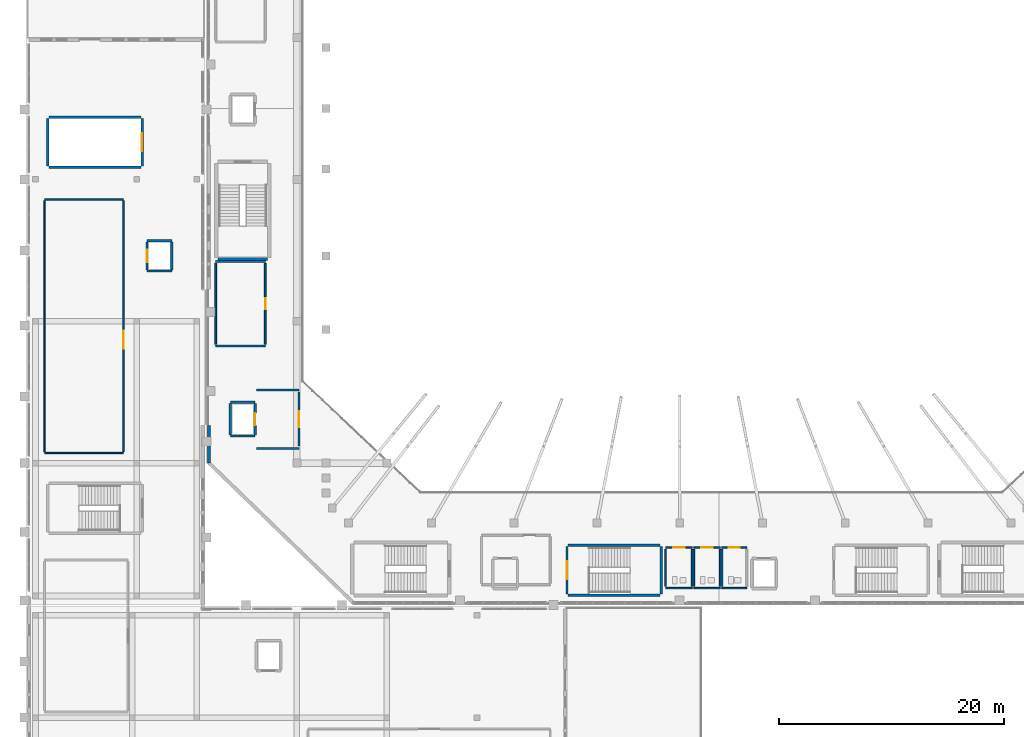
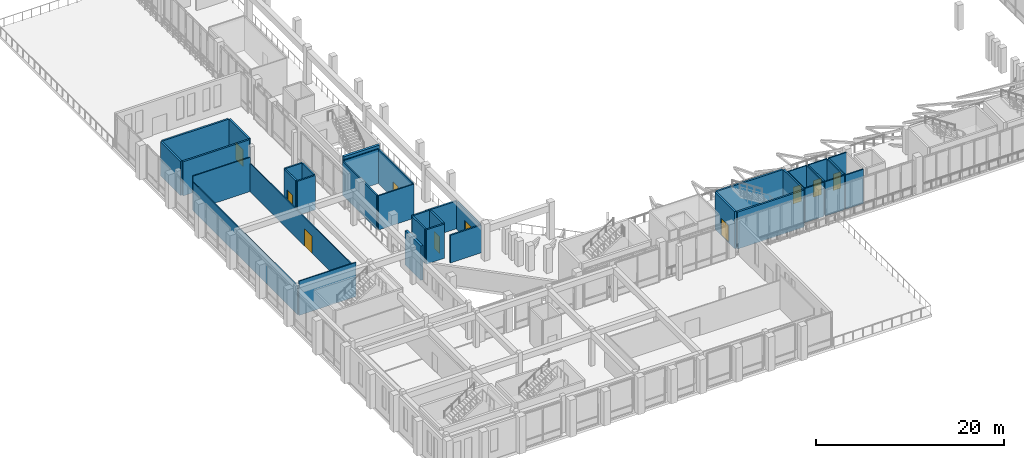
# One storey, part 56 of 79: 40 walls, 10 doors, 10 openings.
"""IFC4 building model written with IfcOpenShell, lengths in metres."""

from ifc_helpers import new_model, si_unit, derived_unit, direction, frame, frame_2d, origin, place, context, subcontext, project, spatial, rectangle, extrude, material, layer, layer_set, type_object, element, fill, save


model = new_model("IFC4")

# Units and contexts
model_context = context("Model", 3, precision=1e-05, world=origin(), true_north=direction((0.0, 1.0)))
body_context = subcontext(model_context, "Body", "Model", "MODEL_VIEW")
ifc_project = project(units=[si_unit("LENGTHUNIT", "METRE"), si_unit("AREAUNIT", "SQUARE_METRE"), si_unit("VOLUMEUNIT", "CUBIC_METRE"), si_unit("PLANEANGLEUNIT", "RADIAN"), si_unit("MASSUNIT", "GRAM", prefix="KILO"), derived_unit("THERMALTRANSMITTANCEUNIT", [(si_unit("MASSUNIT", "GRAM", prefix="KILO"), 1), (si_unit("TIMEUNIT", "SECOND"), -3), (si_unit("THERMODYNAMICTEMPERATUREUNIT", "KELVIN"), -1)])], contexts=[model_context])

# Site, building, storey
site_placement = place(None, origin())
site = spatial("IfcSite", under=ifc_project, at=site_placement, CompositionType="ELEMENT")
building_placement = place(site_placement, origin())
building = spatial("IfcBuilding", under=site, at=building_placement, Name="Valcora Ridge Arena", CompositionType="ELEMENT")
storey_placement = place(building_placement, frame((0.0, 0.0, 16.199951171875)))
storey = spatial("IfcBuildingStorey", under=building, at=storey_placement, Name="L03", CompositionType="ELEMENT", Elevation=16.199951171875)

# Walls
ifc_material_1 = material(Name="Bush-hammered Andean travertine on concrete backup C40/50", Category="masonry")
ifc_layer_1 = layer(ifc_material_1, 0.280029296875, Name="Bush-hammered Andean travertine on concrete backup C40/50")
ifc_layer_set_1 = layer_set([ifc_layer_1], Name="Bush-hammered Andean travertine on concrete backup C40/50")
wall_type_1 = type_object("IfcWallType", Name="TY-WALL-EW-TRV-28-44", PredefinedType="STANDARD", material=ifc_layer_set_1)
wall_1_placement = place(storey_placement, frame((16.199951171875, 32.60009765625, 0.0), z_axis=(0.0, 0.0, 1.0), x_axis=(0.0, 1.0, 0.0)))
element("IfcWall", 1, at=wall_1_placement, inside=storey, type_object=wall_type_1, Name="EW-TRV-28-44 WAL-EW-0053", PredefinedType="STANDARD", context=body_context, shape_type="SweptSolid", body=[
    extrude(rectangle(XDim=3.349853515625, YDim=0.280029296875, at=frame_2d((1.6748046875, 0.0))), origin(), (0.0, 0.0, 1.0), 4.43994140625),
])
ifc_material_2 = material(Name="Fire-rated masonry-core compartment wall C35/45 150 mm", Category="masonry")
ifc_layer_2 = layer(ifc_material_2, 0.14990234375, Name="Fire-rated masonry-core compartment wall C35/45 150 mm")
ifc_layer_set_2 = layer_set([ifc_layer_2], Name="Fire-rated masonry-core compartment wall C35/45 150 mm")
wall_type_2 = type_object("IfcWallType", Name="TY-WALL-IW-COMP-150", PredefinedType="STANDARD", material=ifc_layer_set_2)
wall_2_placement = place(storey_placement, frame((56.75, 21.5, 0.0), z_axis=(0.0, 0.0, 1.0), x_axis=(1.0, 0.0, 0.0)))
element("IfcWall", 2, at=wall_2_placement, inside=storey, type_object=wall_type_2, Name="IW-COMP-150 WAL-IN-0131", PredefinedType="STANDARD", context=body_context, shape_type="SweptSolid", body=[
    extrude(rectangle(XDim=2.35009765625, YDim=0.14990234375, at=frame_2d((1.175048828125, 0.0))), origin(), (0.0, 0.0, 1.0), 4.43994140625),
])

# Wall, opening, door
wall_3_placement = place(storey_placement, frame((56.75, 25.10009765625, 0.0), z_axis=(0.0, 0.0, 1.0), x_axis=(1.0, 0.0, 0.0)))
wall_3 = element("IfcWall", 3, at=wall_3_placement, inside=storey, type_object=wall_type_2, Name="IW-COMP-150 WAL-IN-0132", PredefinedType="STANDARD", context=body_context, shape_type="SweptSolid", body=[
    extrude(rectangle(XDim=2.35009765625, YDim=0.14990234375, at=frame_2d((1.175048828125, 0.0))), origin(), (0.0, 0.0, 1.0), 4.43994140625),
])
opening_1_placement = place(wall_3_placement, frame((0.675048828125, 0.0, 0.0)))
opening_1 = element("IfcOpeningElement", 4, at=opening_1_placement, cuts=wall_3, Name="Opening D-WC-1000", PredefinedType="OPENING", context=body_context, shape_type="SweptSolid", body=[
    extrude(rectangle(XDim=1.0, YDim=2.14990234375, at=frame_2d((0.5, 1.074951171875))), frame((0.0, 0.0849609375, 0.0), z_axis=(0.0, -1.0, 0.0), x_axis=(1.0, 0.0, 0.0)), (0.0, 0.0, 1.0), 0.169921875),
])
ifc_material_3 = material(Name="Insulated fire-rated steel door leaf", Category="steel")
door_type_1 = type_object("IfcDoorType", Name="TY-DOOR-D-WC-1000", OperationType="NOTDEFINED", PredefinedType="DOOR", material=ifc_material_3)
door_1_placement = place(opening_1_placement, origin())
door_1 = element("IfcDoor", 5, at=door_1_placement, inside=storey, type_object=door_type_1, Name="D-WC-1000 DOR-IN-0037", OperationType="SINGLE_SWING_LEFT", OverallHeight=2.14990234375, OverallWidth=1.0, PredefinedType="DOOR", context=body_context, shape_type="SweptSolid", body=[
    extrude(rectangle(XDim=1.0, YDim=2.14990234375, at=frame_2d((0.5, 1.074951171875))), frame((0.0, 0.02490234375, 0.0), z_axis=(0.0, -1.0, 0.0), x_axis=(1.0, 0.0, 0.0)), (0.0, 0.0, 1.0), 0.050048828125),
])
fill(opening_1, door_1)

# Walls
for number, where, z_axis, x_axis, name in (
    (6, (56.75, 21.64990234375, 0.0), (0.0, 0.0, 1.0), (0.0, 1.0, 0.0), "IW-COMP-150 WAL-IN-0133"),
    (7, (59.10009765625, 21.64990234375, 0.0), (0.0, 0.0, 1.0), (0.0, 1.0, 0.0), "IW-COMP-150 WAL-IN-0134"),
):
    element("IfcWall", number, at=place(storey_placement, frame(where, z_axis=z_axis, x_axis=x_axis)), inside=storey, type_object=wall_type_2, Name=name, PredefinedType="STANDARD", context=body_context, shape_type="SweptSolid", body=[
        extrude(rectangle(XDim=3.300048828125, YDim=0.14990234375, at=frame_2d((1.64990234375, 0.0))), origin(), (0.0, 0.0, 1.0), 4.43994140625),
    ])
wall_4_placement = place(storey_placement, frame((59.25, 21.5, 0.0), z_axis=(0.0, 0.0, 1.0), x_axis=(1.0, 0.0, 0.0)))
element("IfcWall", 8, at=wall_4_placement, inside=storey, type_object=wall_type_2, Name="IW-COMP-150 WAL-IN-0135", PredefinedType="STANDARD", context=body_context, shape_type="SweptSolid", body=[
    extrude(rectangle(XDim=2.35009765625, YDim=0.14990234375, at=frame_2d((1.175048828125, 0.0))), origin(), (0.0, 0.0, 1.0), 4.43994140625),
])

# Wall, opening, door
wall_5_placement = place(storey_placement, frame((59.25, 25.10009765625, 0.0), z_axis=(0.0, 0.0, 1.0), x_axis=(1.0, 0.0, 0.0)))
wall_5 = element("IfcWall", 9, at=wall_5_placement, inside=storey, type_object=wall_type_2, Name="IW-COMP-150 WAL-IN-0136", PredefinedType="STANDARD", context=body_context, shape_type="SweptSolid", body=[
    extrude(rectangle(XDim=2.35009765625, YDim=0.14990234375, at=frame_2d((1.175048828125, 0.0))), origin(), (0.0, 0.0, 1.0), 4.43994140625),
])
opening_2_placement = place(wall_5_placement, frame((0.675048828125, 0.0, 0.0)))
opening_2 = element("IfcOpeningElement", 10, at=opening_2_placement, cuts=wall_5, Name="Opening D-WC-1000", PredefinedType="OPENING", context=body_context, shape_type="SweptSolid", body=[
    extrude(rectangle(XDim=1.0, YDim=2.14990234375, at=frame_2d((0.5, 1.074951171875))), frame((0.0, 0.0849609375, 0.0), z_axis=(0.0, -1.0, 0.0), x_axis=(1.0, 0.0, 0.0)), (0.0, 0.0, 1.0), 0.169921875),
])
door_2_placement = place(opening_2_placement, origin())
door_2 = element("IfcDoor", 11, at=door_2_placement, inside=storey, type_object=door_type_1, Name="D-WC-1000 DOR-IN-0038", OperationType="SINGLE_SWING_RIGHT", OverallHeight=2.14990234375, OverallWidth=1.0, PredefinedType="DOOR", context=body_context, shape_type="SweptSolid", body=[
    extrude(rectangle(XDim=1.0, YDim=2.14990234375, at=frame_2d((0.5, 1.074951171875))), frame((0.0, 0.02490234375, 0.0), z_axis=(0.0, -1.0, 0.0), x_axis=(1.0, 0.0, 0.0)), (0.0, 0.0, 1.0), 0.050048828125),
])
fill(opening_2, door_2)

# Walls
for number, where, z_axis, x_axis, name in (
    (12, (59.25, 21.64990234375, 0.0), (0.0, 0.0, 1.0), (0.0, 1.0, 0.0), "IW-COMP-150 WAL-IN-0137"),
    (13, (61.60009765625, 21.64990234375, 0.0), (0.0, 0.0, 1.0), (0.0, 1.0, 0.0), "IW-COMP-150 WAL-IN-0138"),
):
    element("IfcWall", number, at=place(storey_placement, frame(where, z_axis=z_axis, x_axis=x_axis)), inside=storey, type_object=wall_type_2, Name=name, PredefinedType="STANDARD", context=body_context, shape_type="SweptSolid", body=[
        extrude(rectangle(XDim=3.300048828125, YDim=0.14990234375, at=frame_2d((1.64990234375, 0.0))), origin(), (0.0, 0.0, 1.0), 4.43994140625),
    ])
wall_6_placement = place(storey_placement, frame((61.75, 21.5, 0.0), z_axis=(0.0, 0.0, 1.0), x_axis=(1.0, 0.0, 0.0)))
element("IfcWall", 14, at=wall_6_placement, inside=storey, type_object=wall_type_2, Name="IW-COMP-150 WAL-IN-0139", PredefinedType="STANDARD", context=body_context, shape_type="SweptSolid", body=[
    extrude(rectangle(XDim=2.199951171875, YDim=0.14990234375, at=frame_2d((1.10009765625, 0.0))), origin(), (0.0, 0.0, 1.0), 4.43994140625),
])

# Wall, opening, door
wall_7_placement = place(storey_placement, frame((61.75, 25.10009765625, 0.0), z_axis=(0.0, 0.0, 1.0), x_axis=(1.0, 0.0, 0.0)))
wall_7 = element("IfcWall", 15, at=wall_7_placement, inside=storey, type_object=wall_type_2, Name="IW-COMP-150 WAL-IN-0140", PredefinedType="STANDARD", context=body_context, shape_type="SweptSolid", body=[
    extrude(rectangle(XDim=2.199951171875, YDim=0.14990234375, at=frame_2d((1.10009765625, 0.0))), origin(), (0.0, 0.0, 1.0), 4.43994140625),
])
opening_3_placement = place(wall_7_placement, frame((0.625, 0.0, 0.0)))
opening_3 = element("IfcOpeningElement", 16, at=opening_3_placement, cuts=wall_7, Name="Opening D-WC-950", PredefinedType="OPENING", context=body_context, shape_type="SweptSolid", body=[
    extrude(rectangle(XDim=0.949951171875, YDim=2.14990234375, at=frame_2d((0.47509765625, 1.074951171875))), frame((0.0, 0.0849609375, 0.0), z_axis=(0.0, -1.0, 0.0), x_axis=(1.0, 0.0, 0.0)), (0.0, 0.0, 1.0), 0.169921875),
])
door_type_2 = type_object("IfcDoorType", Name="TY-DOOR-D-WC-950", OperationType="NOTDEFINED", PredefinedType="DOOR", material=ifc_material_3)
door_3_placement = place(opening_3_placement, origin())
door_3 = element("IfcDoor", 17, at=door_3_placement, inside=storey, type_object=door_type_2, Name="D-WC-950 DOR-IN-0039", OperationType="SINGLE_SWING_LEFT", OverallHeight=2.14990234375, OverallWidth=0.949951171875, PredefinedType="DOOR", context=body_context, shape_type="SweptSolid", body=[
    extrude(rectangle(XDim=0.949951171875, YDim=2.14990234375, at=frame_2d((0.47509765625, 1.074951171875))), frame((0.0, 0.02490234375, 0.0), z_axis=(0.0, -1.0, 0.0), x_axis=(1.0, 0.0, 0.0)), (0.0, 0.0, 1.0), 0.050048828125),
])
fill(opening_3, door_3)

# Walls
wall_8_placement = place(storey_placement, frame((61.75, 21.64990234375, 0.0), z_axis=(0.0, 0.0, 1.0), x_axis=(0.0, 1.0, 0.0)))
element("IfcWall", 18, at=wall_8_placement, inside=storey, type_object=wall_type_2, Name="IW-COMP-150 WAL-IN-0141", PredefinedType="STANDARD", context=body_context, shape_type="SweptSolid", body=[
    extrude(rectangle(XDim=3.300048828125, YDim=0.14990234375, at=frame_2d((1.64990234375, 0.0))), origin(), (0.0, 0.0, 1.0), 4.43994140625),
])
for number, where, z_axis, x_axis, name in (
    (19, (16.800048828125, 43.0, 0.0), (0.0, 0.0, 1.0), (1.0, 0.0, 0.0), "IW-COMP-150 WAL-IN-0419"),
    (20, (16.800048828125, 50.5, 0.0), (0.0, 0.0, 1.0), (1.0, 0.0, 0.0), "IW-COMP-150 WAL-IN-0420"),
):
    element("IfcWall", number, at=place(storey_placement, frame(where, z_axis=z_axis, x_axis=x_axis)), inside=storey, type_object=wall_type_2, Name=name, PredefinedType="STANDARD", context=body_context, shape_type="SweptSolid", body=[
        extrude(rectangle(XDim=4.39990234375, YDim=0.14990234375, at=frame_2d((2.199951171875, 0.0))), origin(), (0.0, 0.0, 1.0), 4.43994140625),
    ])
wall_9_placement = place(storey_placement, frame((16.800048828125, 43.14990234375, 0.0), z_axis=(0.0, 0.0, 1.0), x_axis=(0.0, 1.0, 0.0)))
element("IfcWall", 21, at=wall_9_placement, inside=storey, type_object=wall_type_2, Name="IW-COMP-150 WAL-IN-0421", PredefinedType="STANDARD", context=body_context, shape_type="SweptSolid", body=[
    extrude(rectangle(XDim=7.2001953125, YDim=0.14990234375, at=frame_2d((3.60009765625, 0.0))), origin(), (0.0, 0.0, 1.0), 4.43994140625),
])

# Wall, opening, door
wall_10_placement = place(storey_placement, frame((21.199951171875, 43.14990234375, 0.0), z_axis=(0.0, 0.0, 1.0), x_axis=(0.0, 1.0, 0.0)))
wall_10 = element("IfcWall", 22, at=wall_10_placement, inside=storey, type_object=wall_type_2, Name="IW-COMP-150 WAL-IN-0422", PredefinedType="STANDARD", context=body_context, shape_type="SweptSolid", body=[
    extrude(rectangle(XDim=7.2001953125, YDim=0.14990234375, at=frame_2d((3.60009765625, 0.0))), origin(), (0.0, 0.0, 1.0), 4.43994140625),
])
opening_4_placement = place(wall_10_placement, frame((3.10009765625, 0.0, 0.0)))
opening_4 = element("IfcOpeningElement", 23, at=opening_4_placement, cuts=wall_10, Name="Opening FD-STE-1000", PredefinedType="OPENING", context=body_context, shape_type="SweptSolid", body=[
    extrude(rectangle(XDim=1.0, YDim=2.14990234375, at=frame_2d((0.5, 1.074951171875))), frame((0.0, 0.0849609375, 0.0), z_axis=(0.0, -1.0, 0.0), x_axis=(1.0, 0.0, 0.0)), (0.0, 0.0, 1.0), 0.169921875),
])
door_type_3 = type_object("IfcDoorType", Name="TY-DOOR-FD-STE-1000", OperationType="NOTDEFINED", PredefinedType="DOOR", material=ifc_material_3)
door_4_placement = place(opening_4_placement, origin())
door_4 = element("IfcDoor", 24, at=door_4_placement, inside=storey, type_object=door_type_3, Name="FD-STE-1000 DOR-IN-0110", OperationType="SINGLE_SWING_RIGHT", OverallHeight=2.14990234375, OverallWidth=1.0, PredefinedType="DOOR", context=body_context, shape_type="SweptSolid", body=[
    extrude(rectangle(XDim=1.0, YDim=2.14990234375, at=frame_2d((0.5, 1.074951171875))), frame((0.0, 0.02490234375, 0.0), z_axis=(0.0, -1.0, 0.0), x_axis=(1.0, 0.0, 0.0)), (0.0, 0.0, 1.0), 0.050048828125),
])
fill(opening_4, door_4)

# Walls
ifc_material_4 = material(Name="Fire-resisting reinforced concrete enclosure C40/50 200 mm", Category="concrete")
ifc_layer_3 = layer(ifc_material_4, 0.199951171875, Name="Fire-resisting reinforced concrete enclosure C40/50 200 mm")
ifc_layer_set_3 = layer_set([ifc_layer_3], Name="Fire-resisting reinforced concrete enclosure C40/50 200 mm")
wall_type_3 = type_object("IfcWallType", Name="TY-WALL-IW-FIRE-200", PredefinedType="STANDARD", material=ifc_layer_set_3)
for number, where, z_axis, x_axis, name in (
    (25, (20.39990234375, 33.89990234375, 0.0), (0.0, 0.0, 1.0), (1.0, 0.0, 0.0), "IW-FIRE-200 WAL-IN-0013"),
    (26, (20.39990234375, 39.10009765625, 0.0), (0.0, 0.0, 1.0), (1.0, 0.0, 0.0), "IW-FIRE-200 WAL-IN-0014"),
):
    element("IfcWall", number, at=place(storey_placement, frame(where, z_axis=z_axis, x_axis=x_axis)), inside=storey, type_object=wall_type_3, Name=name, PredefinedType="STANDARD", context=body_context, shape_type="SweptSolid", body=[
        extrude(rectangle(XDim=3.800048828125, YDim=0.199951171875, at=frame_2d((1.89990234375, 0.0))), origin(), (0.0, 0.0, 1.0), 3.590087890625),
    ])

# Wall, opening, door
wall_11_placement = place(storey_placement, frame((24.199951171875, 34.10009765625, 0.0), z_axis=(0.0, 0.0, 1.0), x_axis=(0.0, 1.0, 0.0)))
wall_11 = element("IfcWall", 27, at=wall_11_placement, inside=storey, type_object=wall_type_3, Name="IW-FIRE-200 WAL-IN-0015", PredefinedType="STANDARD", context=body_context, shape_type="SweptSolid", body=[
    extrude(rectangle(XDim=4.7998046875, YDim=0.199951171875, at=frame_2d((2.39990234375, 0.0))), origin(), (0.0, 0.0, 1.0), 3.590087890625),
])
opening_5_placement = place(wall_11_placement, frame((1.699951171875, 0.0, 0.0)))
opening_5 = element("IfcOpeningElement", 28, at=opening_5_placement, cuts=wall_11, Name="Opening FD-FFL-1400", PredefinedType="OPENING", context=body_context, shape_type="SweptSolid", body=[
    extrude(rectangle(XDim=1.39990234375, YDim=2.199951171875, at=frame_2d((0.699951171875, 1.10009765625))), frame((0.0, 0.10986328125, 0.0), z_axis=(0.0, -1.0, 0.0), x_axis=(1.0, 0.0, 0.0)), (0.0, 0.0, 1.0), 0.219970703125),
])
door_type_4 = type_object("IfcDoorType", Name="TY-DOOR-FD-FFL-1400", OperationType="NOTDEFINED", PredefinedType="DOOR", material=ifc_material_3)
door_5_placement = place(opening_5_placement, origin())
door_5 = element("IfcDoor", 29, at=door_5_placement, inside=storey, type_object=door_type_4, Name="FD-FFL-1400 DOR-IN-0005", OperationType="DOUBLE_DOOR_SINGLE_SWING", OverallHeight=2.199951171875, OverallWidth=1.39990234375, PredefinedType="DOOR", context=body_context, shape_type="SweptSolid", body=[
    extrude(rectangle(XDim=1.39990234375, YDim=2.199951171875, at=frame_2d((0.699951171875, 1.10009765625))), frame((0.0, 0.02490234375, 0.0), z_axis=(0.0, -1.0, 0.0), x_axis=(1.0, 0.0, 0.0)), (0.0, 0.0, 1.0), 0.050048828125),
])
fill(opening_5, door_5)

# Walls
ifc_material_5 = material(Name="Acoustic metal-stud gypsum partition 120 mm")
ifc_layer_4 = layer(ifc_material_5, 0.1201171875, Name="Acoustic metal-stud gypsum partition 120 mm")
ifc_layer_set_4 = layer_set([ifc_layer_4], Name="Acoustic metal-stud gypsum partition 120 mm")
wall_type_4 = type_object("IfcWallType", Name="TY-WALL-IW-PART-120", PredefinedType="PARTITIONING", material=ifc_layer_set_4)
for number, where, z_axis, x_axis, name in (
    (30, (1.60009765625, 33.5, 0.0), (0.0, 0.0, 1.0), (1.0, 0.0, 0.0), "IW-PART-120 WAL-IN-0435"),
    (31, (1.60009765625, 56.0, 0.0), (0.0, 0.0, 1.0), (1.0, 0.0, 0.0), "IW-PART-120 WAL-IN-0436"),
):
    element("IfcWall", number, at=place(storey_placement, frame(where, z_axis=z_axis, x_axis=x_axis)), inside=storey, type_object=wall_type_4, Name=name, PredefinedType="PARTITIONING", context=body_context, shape_type="SweptSolid", body=[
        extrude(rectangle(XDim=7.0, YDim=0.1201171875, at=frame_2d((3.5, 0.0))), origin(), (0.0, 0.0, 1.0), 4.43994140625),
    ])
wall_12_placement = place(storey_placement, frame((1.60009765625, 33.6201171875, 0.0), z_axis=(0.0, 0.0, 1.0), x_axis=(0.0, 1.0, 0.0)))
element("IfcWall", 32, at=wall_12_placement, inside=storey, type_object=wall_type_4, Name="IW-PART-120 WAL-IN-0437", PredefinedType="PARTITIONING", context=body_context, shape_type="SweptSolid", body=[
    extrude(rectangle(XDim=22.259765625, YDim=0.1201171875, at=frame_2d((11.1298828125, 0.0))), origin(), (0.0, 0.0, 1.0), 3.68994140625),
])

# Wall, opening, door
wall_13_placement = place(storey_placement, frame((8.60009765625, 33.6201171875, 0.0), z_axis=(0.0, 0.0, 1.0), x_axis=(0.0, 1.0, 0.0)))
wall_13 = element("IfcWall", 33, at=wall_13_placement, inside=storey, type_object=wall_type_4, Name="IW-PART-120 WAL-IN-0438", PredefinedType="PARTITIONING", context=body_context, shape_type="SweptSolid", body=[
    extrude(rectangle(XDim=22.259765625, YDim=0.1201171875, at=frame_2d((11.1298828125, 0.0))), origin(), (0.0, 0.0, 1.0), 3.68994140625),
])
opening_6_placement = place(wall_13_placement, frame((9.1298828125, 0.0, 0.0)))
opening_6 = element("IfcOpeningElement", 34, at=opening_6_placement, cuts=wall_13, Name="Opening D-PUB-1600", PredefinedType="OPENING", context=body_context, shape_type="SweptSolid", body=[
    extrude(rectangle(XDim=1.60009765625, YDim=2.25, at=frame_2d((0.800048828125, 1.125))), frame((0.0, 0.070068359375, 0.0), z_axis=(0.0, -1.0, 0.0), x_axis=(1.0, 0.0, 0.0)), (0.0, 0.0, 1.0), 0.14013671875),
])
ifc_material_6 = material(Name="Solid-core acoustic timber veneer door leaf", Category="wood")
door_type_5 = type_object("IfcDoorType", Name="TY-DOOR-D-PUB-1600", OperationType="NOTDEFINED", PredefinedType="DOOR", material=ifc_material_6)
door_6_placement = place(opening_6_placement, origin())
door_6 = element("IfcDoor", 35, at=door_6_placement, inside=storey, type_object=door_type_5, Name="D-PUB-1600 DOR-IN-0114", OperationType="DOUBLE_DOOR_SINGLE_SWING", OverallHeight=2.25, OverallWidth=1.60009765625, PredefinedType="DOOR", context=body_context, shape_type="SweptSolid", body=[
    extrude(rectangle(XDim=1.60009765625, YDim=2.25, at=frame_2d((0.800048828125, 1.125))), frame((0.0, 0.02490234375, 0.0), z_axis=(0.0, -1.0, 0.0), x_axis=(1.0, 0.0, 0.0)), (0.0, 0.0, 1.0), 0.050048828125),
])
fill(opening_6, door_6)

# Walls
ifc_material_7 = material(Name="Concrete C40/50", Category="concrete")
ifc_layer_5 = layer(ifc_material_7, 0.199951171875, Name="Concrete C40/50")
ifc_layer_set_5 = layer_set([ifc_layer_5], Name="Concrete C40/50")
wall_type_5 = type_object("IfcWallType", Name="TY-WALL-IW-SHF-200", PredefinedType="STANDARD", material=ifc_layer_set_5)
for number, where, z_axis, x_axis, name in (
    (36, (18.10009765625, 35.0, 0.0), (0.0, 0.0, 1.0), (1.0, 0.0, 0.0), "IW-SHF-200 WAL-SH-0017"),
    (37, (18.10009765625, 38.0, 0.0), (0.0, 0.0, 1.0), (1.0, 0.0, 0.0), "IW-SHF-200 WAL-SH-0018"),
):
    element("IfcWall", number, at=place(storey_placement, frame(where, z_axis=z_axis, x_axis=x_axis)), inside=storey, type_object=wall_type_5, Name=name, PredefinedType="STANDARD", context=body_context, shape_type="SweptSolid", body=[
        extrude(rectangle(XDim=2.199951171875, YDim=0.199951171875, at=frame_2d((1.10009765625, 0.0))), origin(), (0.0, 0.0, 1.0), 4.43994140625),
    ])
wall_14_placement = place(storey_placement, frame((18.10009765625, 35.1201171875, 0.0), z_axis=(0.0, 0.0, 1.0), x_axis=(0.0, 1.0, 0.0)))
element("IfcWall", 38, at=wall_14_placement, inside=storey, type_object=wall_type_5, Name="IW-SHF-200 WAL-SH-0019", PredefinedType="STANDARD", context=body_context, shape_type="SweptSolid", body=[
    extrude(rectangle(XDim=2.759765625, YDim=0.199951171875, at=frame_2d((1.3798828125, 0.0))), origin(), (0.0, 0.0, 1.0), 4.43994140625),
])

# Wall, opening, door
wall_15_placement = place(storey_placement, frame((20.300048828125, 35.1201171875, 0.0), z_axis=(0.0, 0.0, 1.0), x_axis=(0.0, 1.0, 0.0)))
wall_15 = element("IfcWall", 39, at=wall_15_placement, inside=storey, type_object=wall_type_5, Name="IW-SHF-200 WAL-SH-0020", PredefinedType="STANDARD", context=body_context, shape_type="SweptSolid", body=[
    extrude(rectangle(XDim=2.759765625, YDim=0.199951171875, at=frame_2d((1.3798828125, 0.0))), origin(), (0.0, 0.0, 1.0), 4.43994140625),
])
opening_7_placement = place(wall_15_placement, frame((0.830078125, 0.0, 0.0)))
opening_7 = element("IfcOpeningElement", 40, at=opening_7_placement, cuts=wall_15, Name="Opening LD-FF", PredefinedType="OPENING", context=body_context, shape_type="SweptSolid", body=[
    extrude(rectangle(XDim=1.10009765625, YDim=2.14990234375, at=frame_2d((0.550048828125, 1.074951171875))), frame((0.0, 0.10986328125, 0.0), z_axis=(0.0, -1.0, 0.0), x_axis=(1.0, 0.0, 0.0)), (0.0, 0.0, 1.0), 0.219970703125),
])
ifc_material_8 = material(Name="Insulated fire-rated hollow metal steel", Category="steel")
door_type_6 = type_object("IfcDoorType", Name="TY-DOOR-LD-FF", OperationType="NOTDEFINED", PredefinedType="DOOR", material=ifc_material_8)
door_7_placement = place(opening_7_placement, origin())
door_7 = element("IfcDoor", 41, at=door_7_placement, inside=storey, type_object=door_type_6, Name="FFL1 Landing Door L03", OperationType="SLIDING_TO_LEFT", OverallHeight=2.14990234375, OverallWidth=1.10009765625, PredefinedType="DOOR", context=body_context, shape_type="SweptSolid", body=[
    extrude(rectangle(XDim=1.10009765625, YDim=2.14990234375, at=frame_2d((0.550048828125, 1.074951171875))), frame((0.0, 0.02490234375, 0.0), z_axis=(0.0, -1.0, 0.0), x_axis=(1.0, 0.0, 0.0)), (0.0, 0.0, 1.0), 0.050048828125),
])
fill(opening_7, door_7)

# Walls
for number, where, z_axis, x_axis, name in (
    (42, (10.699951171875, 49.64990234375, 0.0), (0.0, 0.0, 1.0), (1.0, 0.0, 0.0), "IW-SHF-200 WAL-SH-0205"),
    (43, (10.699951171875, 52.35009765625, 0.0), (0.0, 0.0, 1.0), (1.0, 0.0, 0.0), "IW-SHF-200 WAL-SH-0206"),
):
    element("IfcWall", number, at=place(storey_placement, frame(where, z_axis=z_axis, x_axis=x_axis)), inside=storey, type_object=wall_type_5, Name=name, PredefinedType="STANDARD", context=body_context, shape_type="SweptSolid", body=[
        extrude(rectangle(XDim=2.199951171875, YDim=0.199951171875, at=frame_2d((1.10009765625, 0.0))), origin(), (0.0, 0.0, 1.0), 4.43994140625),
    ])

# Wall, opening, door
wall_16_placement = place(storey_placement, frame((10.699951171875, 49.77001953125, 0.0), z_axis=(0.0, 0.0, 1.0), x_axis=(0.0, 1.0, 0.0)))
wall_16 = element("IfcWall", 44, at=wall_16_placement, inside=storey, type_object=wall_type_5, Name="IW-SHF-200 WAL-SH-0207", PredefinedType="STANDARD", context=body_context, shape_type="SweptSolid", body=[
    extrude(rectangle(XDim=2.4599609375, YDim=0.199951171875, at=frame_2d((1.22998046875, 0.0))), origin(), (0.0, 0.0, 1.0), 4.43994140625),
])
opening_8_placement = place(wall_16_placement, frame((0.679931640625, 0.0, 0.0)))
opening_8 = element("IfcOpeningElement", 45, at=opening_8_placement, cuts=wall_16, Name="Opening LD-PAX", PredefinedType="OPENING", context=body_context, shape_type="SweptSolid", body=[
    extrude(rectangle(XDim=1.10009765625, YDim=2.14990234375, at=frame_2d((0.550048828125, 1.074951171875))), frame((0.0, 0.10986328125, 0.0), z_axis=(0.0, -1.0, 0.0), x_axis=(1.0, 0.0, 0.0)), (0.0, 0.0, 1.0), 0.219970703125),
])
door_type_7 = type_object("IfcDoorType", Name="TY-DOOR-LD-PAX", OperationType="NOTDEFINED", PredefinedType="DOOR", material=ifc_material_8)
door_8_placement = place(opening_8_placement, origin())
door_8 = element("IfcDoor", 46, at=door_8_placement, inside=storey, type_object=door_type_7, Name="CL2 Landing Door L03", OperationType="SLIDING_TO_LEFT", OverallHeight=2.14990234375, OverallWidth=1.10009765625, PredefinedType="DOOR", context=body_context, shape_type="SweptSolid", body=[
    extrude(rectangle(XDim=1.10009765625, YDim=2.14990234375, at=frame_2d((0.550048828125, 1.074951171875))), frame((0.0, 0.02490234375, 0.0), z_axis=(0.0, -1.0, 0.0), x_axis=(1.0, 0.0, 0.0)), (0.0, 0.0, 1.0), 0.050048828125),
])
fill(opening_8, door_8)

# Walls
wall_17_placement = place(storey_placement, frame((12.89990234375, 49.77001953125, 0.0), z_axis=(0.0, 0.0, 1.0), x_axis=(0.0, 1.0, 0.0)))
element("IfcWall", 47, at=wall_17_placement, inside=storey, type_object=wall_type_5, Name="IW-SHF-200 WAL-SH-0208", PredefinedType="STANDARD", context=body_context, shape_type="SweptSolid", body=[
    extrude(rectangle(XDim=2.4599609375, YDim=0.199951171875, at=frame_2d((1.22998046875, 0.0))), origin(), (0.0, 0.0, 1.0), 4.43994140625),
])
ifc_material_9 = material(Name="Concrete C45/55", Category="concrete")
ifc_layer_6 = layer(ifc_material_9, 0.300048828125, Name="Concrete C45/55")
ifc_layer_set_6 = layer_set([ifc_layer_6], Name="Concrete C45/55")
wall_type_6 = type_object("IfcWallType", Name="TY-WALL-SW-C300-S", PredefinedType="SHEAR", material=ifc_layer_set_6)
wall_18_placement = place(storey_placement, frame((17.0, 50.72998046875, 0.0), z_axis=(0.0, 0.0, 1.0), x_axis=(1.0, 0.0, 0.0)))
element("IfcWall", 48, at=wall_18_placement, inside=storey, type_object=wall_type_6, Name="SW-C300-S WAL-CR-0121", PredefinedType="SHEAR", context=body_context, shape_type="SweptSolid", body=[
    extrude(rectangle(XDim=4.39990234375, YDim=0.300048828125, at=frame_2d((2.199951171875, 0.0))), origin(), (0.0, 0.0, 1.0), 4.800048828125),
])
ifc_layer_7 = layer(ifc_material_4, 0.219970703125, Name="Fire-resisting reinforced concrete enclosure C40/50 200 mm")
ifc_layer_set_7 = layer_set([ifc_layer_7], Name="Fire-resisting reinforced concrete enclosure C40/50 200 mm")
wall_type_7 = type_object("IfcWallType", Name="TY-WALL-SW-ES-220", PredefinedType="SHEAR", material=ifc_layer_set_7)
for number, where, z_axis, x_axis, name in (
    (49, (48.10009765625, 20.889892578125, 0.0), (0.0, 0.0, 1.0), (1.0, 0.0, 0.0), "SW-ES-220 WAL-ES-0017"),
    (50, (48.10009765625, 25.31005859375, 0.0), (0.0, 0.0, 1.0), (1.0, 0.0, 0.0), "SW-ES-220 WAL-ES-0018"),
):
    element("IfcWall", number, at=place(storey_placement, frame(where, z_axis=z_axis, x_axis=x_axis)), inside=storey, type_object=wall_type_7, Name=name, PredefinedType="SHEAR", context=body_context, shape_type="SweptSolid", body=[
        extrude(rectangle(XDim=8.159912109375, YDim=0.219970703125, at=frame_2d((4.080078125, 0.0))), origin(), (0.0, 0.0, 1.0), 4.800048828125),
    ])

# Wall, opening, door
wall_19_placement = place(storey_placement, frame((47.989990234375, 21.0, 0.0), z_axis=(0.0, 0.0, 1.0), x_axis=(0.0, 1.0, 0.0)))
wall_19 = element("IfcWall", 51, at=wall_19_placement, inside=storey, type_object=wall_type_7, Name="SW-ES-220 WAL-ES-0019", PredefinedType="SHEAR", context=body_context, shape_type="SweptSolid", body=[
    extrude(rectangle(XDim=4.199951171875, YDim=0.219970703125, at=frame_2d((2.10009765625, 0.0))), origin(), (0.0, 0.0, 1.0), 4.800048828125),
])
opening_9_placement = place(wall_19_placement, frame((1.300048828125, 0.0, 0.0)))
opening_9 = element("IfcOpeningElement", 52, at=opening_9_placement, cuts=wall_19, Name="Opening FD-02", PredefinedType="OPENING", context=body_context, shape_type="SweptSolid", body=[
    extrude(rectangle(XDim=1.60009765625, YDim=2.199951171875, at=frame_2d((0.800048828125, 1.10009765625))), frame((0.0, 0.119873046875, 0.0), z_axis=(0.0, -1.0, 0.0), x_axis=(1.0, 0.0, 0.0)), (0.0, 0.0, 1.0), 0.239990234375),
])
door_type_8 = type_object("IfcDoorType", Name="TY-DOOR-FD-02", OperationType="NOTDEFINED", PredefinedType="DOOR", material=ifc_material_3)
door_9_placement = place(opening_9_placement, origin())
door_9 = element("IfcDoor", 53, at=door_9_placement, inside=storey, type_object=door_type_8, Name="FD-02 DOR-ES-0004", OperationType="DOUBLE_DOOR_SINGLE_SWING", OverallHeight=2.199951171875, OverallWidth=1.60009765625, PredefinedType="DOOR", context=body_context, shape_type="SweptSolid", body=[
    extrude(rectangle(XDim=1.60009765625, YDim=2.199951171875, at=frame_2d((0.800048828125, 1.10009765625))), frame((0.0, 0.02490234375, 0.0), z_axis=(0.0, -1.0, 0.0), x_axis=(1.0, 0.0, 0.0)), (0.0, 0.0, 1.0), 0.050048828125),
])
fill(opening_9, door_9)

# Walls
wall_20_placement = place(storey_placement, frame((56.3701171875, 21.0, 0.0), z_axis=(0.0, 0.0, 1.0), x_axis=(0.0, 1.0, 0.0)))
element("IfcWall", 54, at=wall_20_placement, inside=storey, type_object=wall_type_7, Name="SW-ES-220 WAL-ES-0020", PredefinedType="SHEAR", context=body_context, shape_type="SweptSolid", body=[
    extrude(rectangle(XDim=4.199951171875, YDim=0.219970703125, at=frame_2d((2.10009765625, 0.0))), origin(), (0.0, 0.0, 1.0), 4.800048828125),
])
for number, where, z_axis, x_axis, name in (
    (55, (2.0, 58.889892578125, 0.0), (0.0, 0.0, 1.0), (1.0, 0.0, 0.0), "SW-ES-220 WAL-ES-0161"),
    (56, (2.0, 63.31005859375, 0.0), (0.0, 0.0, 1.0), (1.0, 0.0, 0.0), "SW-ES-220 WAL-ES-0162"),
):
    element("IfcWall", number, at=place(storey_placement, frame(where, z_axis=z_axis, x_axis=x_axis)), inside=storey, type_object=wall_type_7, Name=name, PredefinedType="SHEAR", context=body_context, shape_type="SweptSolid", body=[
        extrude(rectangle(XDim=8.159912109375, YDim=0.219970703125, at=frame_2d((4.080078125, 0.0))), origin(), (0.0, 0.0, 1.0), 4.43994140625),
    ])
wall_21_placement = place(storey_placement, frame((1.889892578125, 59.0, 0.0), z_axis=(0.0, 0.0, 1.0), x_axis=(0.0, 1.0, 0.0)))
element("IfcWall", 57, at=wall_21_placement, inside=storey, type_object=wall_type_7, Name="SW-ES-220 WAL-ES-0163", PredefinedType="SHEAR", context=body_context, shape_type="SweptSolid", body=[
    extrude(rectangle(XDim=4.199951171875, YDim=0.219970703125, at=frame_2d((2.10009765625, 0.0))), origin(), (0.0, 0.0, 1.0), 4.43994140625),
])

# Wall, opening, door
wall_22_placement = place(storey_placement, frame((10.27001953125, 59.0, 0.0), z_axis=(0.0, 0.0, 1.0), x_axis=(0.0, 1.0, 0.0)))
wall_22 = element("IfcWall", 58, at=wall_22_placement, inside=storey, type_object=wall_type_7, Name="SW-ES-220 WAL-ES-0164", PredefinedType="SHEAR", context=body_context, shape_type="SweptSolid", body=[
    extrude(rectangle(XDim=4.199951171875, YDim=0.219970703125, at=frame_2d((2.10009765625, 0.0))), origin(), (0.0, 0.0, 1.0), 4.43994140625),
])
opening_10_placement = place(wall_22_placement, frame((1.300048828125, 0.0, 0.0)))
opening_10 = element("IfcOpeningElement", 59, at=opening_10_placement, cuts=wall_22, Name="Opening FD-02", PredefinedType="OPENING", context=body_context, shape_type="SweptSolid", body=[
    extrude(rectangle(XDim=1.60009765625, YDim=2.199951171875, at=frame_2d((0.800048828125, 1.10009765625))), frame((0.0, 0.119873046875, 0.0), z_axis=(0.0, -1.0, 0.0), x_axis=(1.0, 0.0, 0.0)), (0.0, 0.0, 1.0), 0.239990234375),
])
door_10_placement = place(opening_10_placement, origin())
door_10 = element("IfcDoor", 60, at=door_10_placement, inside=storey, type_object=door_type_8, Name="FD-02 DOR-ES-0037", OperationType="DOUBLE_DOOR_SINGLE_SWING", OverallHeight=2.199951171875, OverallWidth=1.60009765625, PredefinedType="DOOR", context=body_context, shape_type="SweptSolid", body=[
    extrude(rectangle(XDim=1.60009765625, YDim=2.199951171875, at=frame_2d((0.800048828125, 1.10009765625))), frame((0.0, 0.02490234375, 0.0), z_axis=(0.0, -1.0, 0.0), x_axis=(1.0, 0.0, 0.0)), (0.0, 0.0, 1.0), 0.050048828125),
])
fill(opening_10, door_10)

save(model, "model.ifc")
